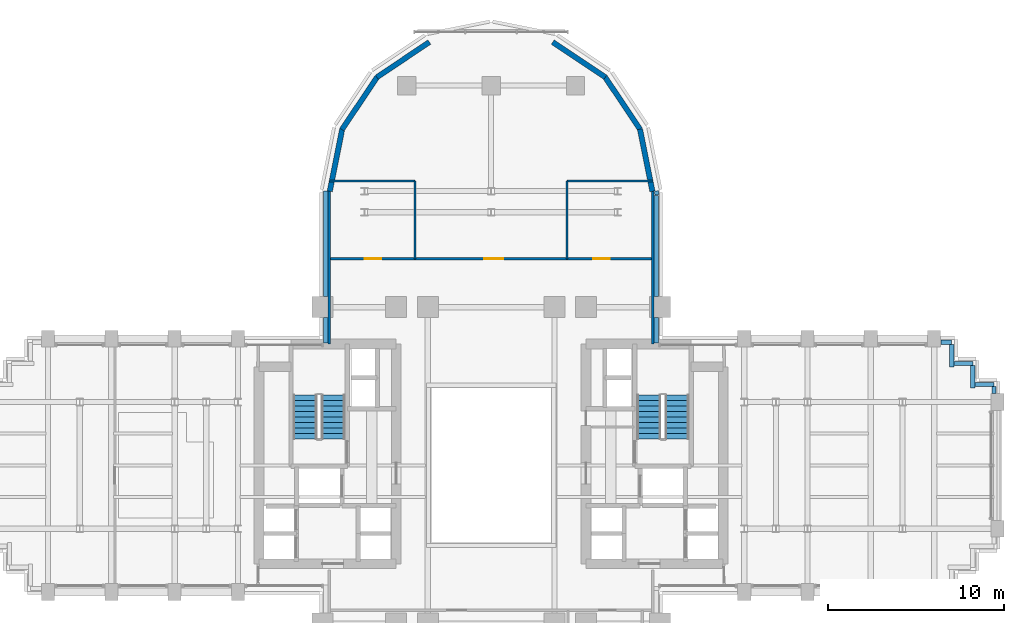
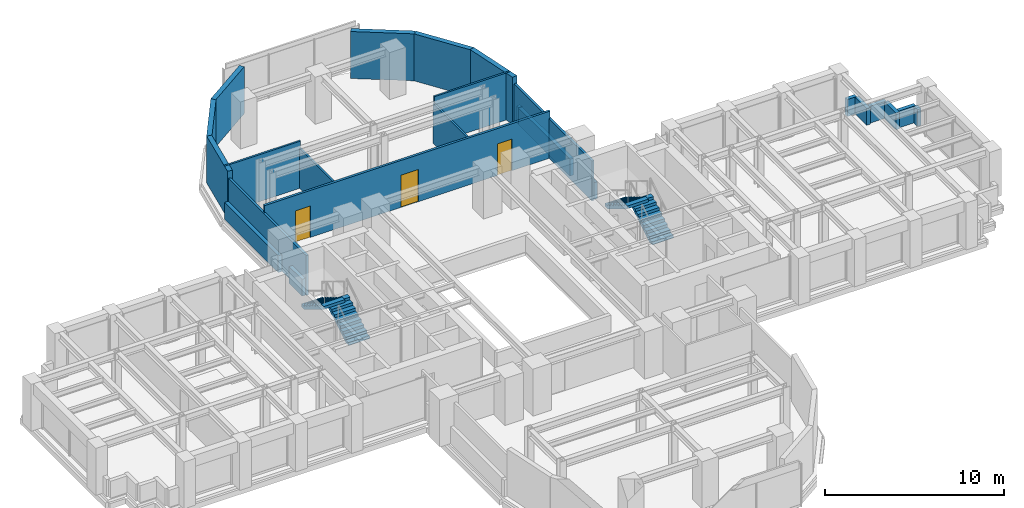
# One storey, part 12 of 16: 24 walls, 4 stair flights, 3 doors, 3 openings, 2 elements without a shape of their own.
"""IFC4 building model written with IfcOpenShell, lengths in metres."""

from ifc_helpers import new_model, si_unit, direction, frame, frame_2d, origin, place, context, subcontext, project, spatial, polyline, rectangle, outline, extrude, source, transform, mapped, material, layer, layer_set, type_object, element, fill, aggregate, save


model = new_model("IFC4")

# Units and contexts
model_context = context("Model", 3, precision=1e-05, world=origin(), true_north=direction((0.0, 1.0)))
body_context = subcontext(model_context, "Body", "Model", "MODEL_VIEW")
ifc_project = project(units=[si_unit("LENGTHUNIT", "METRE"), si_unit("AREAUNIT", "SQUARE_METRE"), si_unit("VOLUMEUNIT", "CUBIC_METRE"), si_unit("PLANEANGLEUNIT", "RADIAN"), si_unit("MASSUNIT", "GRAM", prefix="KILO")], contexts=[model_context])

# Site, building, storey
site_placement = place(None, origin())
site = spatial("IfcSite", under=ifc_project, at=site_placement, CompositionType="ELEMENT")
building_placement = place(site_placement, origin())
building = spatial("IfcBuilding", under=site, at=building_placement, Name="Keilestroom Media Tower", CompositionType="ELEMENT")
storey_placement = place(building_placement, frame((0.0, 0.0, 61.199951171875)))
storey = spatial("IfcBuildingStorey", under=building, at=storey_placement, Name="L15", CompositionType="ELEMENT", Elevation=61.199951171875)

# Walls
ifc_material_1 = material(Name="Precast concrete C40/50", Category="concrete")
ifc_layer_1 = layer(ifc_material_1, 0.300048828125)
ifc_layer_set_1 = layer_set([ifc_layer_1], Name="Precast concrete C40/50")
wall_type_1 = type_object("IfcWallType", Name="Exterior-Masonry-Spandrel-Wall-300", PredefinedType="SOLIDWALL", material=ifc_layer_set_1)
for number, where, z_axis, x_axis, name in (
    (1, (9.1748046875, 15.585205078125, 0.0), (0.0, 0.0, 1.0), (-0.195114232679, 0.980780523974, 0.0), "L15 Lobe Facet Precast Frame Wall 01"),
    (2, (8.48193359375, 19.097412109375, 0.0), (0.0, 0.0, 1.0), (-0.555574187116, 0.831466970246, 0.0), "L15 Lobe Facet Precast Frame Wall 02"),
):
    element("IfcWall", number, at=place(storey_placement, frame(where, z_axis=z_axis, x_axis=x_axis)), inside=storey, type_object=wall_type_1, Name=name, PredefinedType="SOLIDWALL", context=body_context, shape_type="SweptSolid", body=[
        extrude(rectangle(XDim=3.608642578125, YDim=0.300048828125, at=frame_2d((1.80419921875, 0.0))), origin(), (0.0, 0.0, 1.0), 3.199951171875),
    ])
for number, where, z_axis, x_axis, name in (
    (3, (6.497802734375, 22.0771484375, 0.0), (0.0, 0.0, 1.0), (-0.8314749531, 0.555562239868, 0.0), "L15 Lobe Facet Precast Frame Wall 03"),
    (4, (-3.510009765625, 24.073486328125, 0.0), (0.0, 0.0, 1.0), (-0.8314749531, -0.555562239868, 0.0), "L15 Lobe Facet Precast Frame Wall 04"),
):
    element("IfcWall", number, at=place(storey_placement, frame(where, z_axis=z_axis, x_axis=x_axis)), inside=storey, type_object=wall_type_1, Name=name, PredefinedType="SOLIDWALL", context=body_context, shape_type="SweptSolid", body=[
        extrude(rectangle(XDim=3.59326171875, YDim=0.300048828125, at=frame_2d((1.796630859375, 0.0))), origin(), (0.0, 0.0, 1.0), 3.199951171875),
    ])
for number, where, z_axis, x_axis, name in (
    (5, (-6.47705078125, 22.097900390625, 0.0), (0.0, 0.0, 1.0), (-0.555574187116, -0.831466970246, 0.0), "L15 Lobe Facet Precast Frame Wall 05"),
    (6, (-8.470703125, 19.12451171875, 0.0), (0.0, 0.0, 1.0), (-0.195114232679, -0.980780523974, 0.0), "L15 Lobe Facet Precast Frame Wall 06"),
):
    element("IfcWall", number, at=place(storey_placement, frame(where, z_axis=z_axis, x_axis=x_axis)), inside=storey, type_object=wall_type_1, Name=name, PredefinedType="SOLIDWALL", context=body_context, shape_type="SweptSolid", body=[
        extrude(rectangle(XDim=3.608642578125, YDim=0.300048828125, at=frame_2d((1.80419921875, 0.0))), origin(), (0.0, 0.0, 1.0), 3.199951171875),
    ])
ifc_material_2 = material(Name="Gypsum Plasterboard & Steel Stud", Category="steel")
ifc_layer_2 = layer(ifc_material_2, 0.1201171875)
ifc_layer_set_2 = layer_set([ifc_layer_2], Name="Gypsum Plasterboard & Steel Stud")
wall_type_2 = type_object("IfcWallType", Name="Interior-Partition-Wall-120", PredefinedType="PARTITIONING", material=ifc_layer_set_2)
for number, where, z_axis, x_axis, name in (
    (7, (-9.199951171875, 16.169921875, 0.0), (0.0, 0.0, 1.0), (1.0, 0.0, 0.0), "L15 Interior Wall WP-L15-NL-HW"),
    (8, (4.320068359375, 16.169921875, 0.0), (0.0, 0.0, 1.0), (1.0, 0.0, 0.0), "L15 Interior Wall WP-L15-NL-HE"),
):
    element("IfcWall", number, at=place(storey_placement, frame(where, z_axis=z_axis, x_axis=x_axis)), inside=storey, type_object=wall_type_2, Name=name, PredefinedType="PARTITIONING", context=body_context, shape_type="SweptSolid", body=[
        extrude(rectangle(XDim=4.8798828125, YDim=0.1201171875, at=frame_2d((2.43994140625, 0.0))), origin(), (0.0, 0.0, 1.0), 3.199951171875),
    ])
for number, where, z_axis, x_axis, name in (
    (9, (-4.320068359375, 11.75, 0.0), (0.0, 0.0, 1.0), (0.0, 1.0, 0.0), "L15 Interior Wall WP-L15-NL-VW2"),
    (10, (4.320068359375, 11.75, 0.0), (0.0, 0.0, 1.0), (0.0, 1.0, 0.0), "L15 Interior Wall WP-L15-NL-VE2"),
):
    element("IfcWall", number, at=place(storey_placement, frame(where, z_axis=z_axis, x_axis=x_axis)), inside=storey, type_object=wall_type_2, Name=name, PredefinedType="PARTITIONING", context=body_context, shape_type="SweptSolid", body=[
        extrude(rectangle(XDim=4.419921875, YDim=0.1201171875, at=frame_2d((2.2099609375, 0.0))), origin(), (0.0, 0.0, 1.0), 2.7099609375),
    ])

# Wall, openings, doors
ifc_layer_3 = layer(ifc_material_2, 0.14990234375)
ifc_layer_set_3 = layer_set([ifc_layer_3], Name="Gypsum Plasterboard & Steel Stud")
wall_type_3 = type_object("IfcWallType", Name="Interior-Partition-Wall-150", PredefinedType="PARTITIONING", material=ifc_layer_set_3)
wall_1_placement = place(storey_placement, frame((-9.199951171875, 11.75, 0.0), z_axis=(0.0, 0.0, 1.0), x_axis=(1.0, 0.0, 0.0)))
wall_1 = element("IfcWall", 11, at=wall_1_placement, inside=storey, type_object=wall_type_3, Name="L15 Interior Wall WP-L15-NL-BASE", PredefinedType="PARTITIONING", context=body_context, shape_type="SweptSolid", body=[
    extrude(rectangle(XDim=18.39990234375, YDim=0.14990234375, at=frame_2d((9.199951171875, 0.0))), origin(), (0.0, 0.0, 1.0), 3.199951171875),
])
opening_1_placement = place(wall_1_placement, frame((2.0, 0.0, 0.0)))
opening_1 = element("IfcOpeningElement", 12, at=opening_1_placement, cuts=wall_1, Name="Opening DI-03", PredefinedType="OPENING", context=body_context, shape_type="SweptSolid", body=[
    extrude(rectangle(XDim=0.949951171875, YDim=2.14990234375, at=frame_2d((0.47509765625, 1.074951171875))), frame((0.0, 0.0849609375, 0.0), z_axis=(0.0, -1.0, 0.0), x_axis=(1.0, 0.0, 0.0)), (0.0, 0.0, 1.0), 0.169921875),
])
opening_2_placement = place(wall_1_placement, frame((15.0, 0.0, 0.0)))
opening_2 = element("IfcOpeningElement", 13, at=opening_2_placement, cuts=wall_1, Name="Opening DI-03", PredefinedType="OPENING", context=body_context, shape_type="SweptSolid", body=[
    extrude(rectangle(XDim=0.949951171875, YDim=2.14990234375, at=frame_2d((0.47509765625, 1.074951171875))), frame((0.0, 0.0849609375, 0.0), z_axis=(0.0, -1.0, 0.0), x_axis=(1.0, 0.0, 0.0)), (0.0, 0.0, 1.0), 0.169921875),
])
opening_3_placement = place(wall_1_placement, frame((8.800048828125, 0.0, 0.0)))
opening_3 = element("IfcOpeningElement", 14, at=opening_3_placement, cuts=wall_1, Name="Opening DI-04", PredefinedType="OPENING", context=body_context, shape_type="SweptSolid", body=[
    extrude(rectangle(XDim=1.10009765625, YDim=2.199951171875, at=frame_2d((0.550048828125, 1.10009765625))), frame((0.0, 0.0849609375, 0.0), z_axis=(0.0, -1.0, 0.0), x_axis=(1.0, 0.0, 0.0)), (0.0, 0.0, 1.0), 0.169921875),
])
ifc_material_3 = material(Name="Lacquered European Oak Leaf", Category="wood")
door_type_1 = type_object("IfcDoorType", Name="Interior-Room-And-Suite-Door-DI-03", OperationType="NOTDEFINED", PredefinedType="DOOR", material=ifc_material_3)
shared_shape_1 = source(origin(), body_context, "Body", "SweptSolid", [
    extrude(rectangle(XDim=0.949951171875, YDim=2.14990234375, at=frame_2d((0.47509765625, 1.074951171875))), frame((0.0, 0.02490234375, 0.0), z_axis=(0.0, -1.0, 0.0), x_axis=(1.0, 0.0, 0.0)), (0.0, 0.0, 1.0), 0.050048828125),
])
door_1_placement = place(opening_1_placement, origin())
door_1 = element("IfcDoor", 15, at=door_1_placement, inside=storey, type_object=door_type_1, Name="L15 Interior Door DI-L15-DNL-FRW", OperationType="SINGLE_SWING_LEFT", OverallHeight=2.14990234375, OverallWidth=0.949951171875, PredefinedType="DOOR", context=body_context, shape_type="MappedRepresentation", body=[
    mapped(shared_shape_1, transform((0.0, 0.0, 0.0), x_axis=(1.0, 0.0, 0.0), y_axis=(0.0, 1.0, 0.0), z_axis=(0.0, 0.0, 1.0), scale=1.0)),
])
fill(opening_1, door_1)
door_2_placement = place(opening_2_placement, origin())
door_2 = element("IfcDoor", 16, at=door_2_placement, inside=storey, type_object=door_type_1, Name="L15 Interior Door DI-L15-DNL-FRE", OperationType="SINGLE_SWING_RIGHT", OverallHeight=2.14990234375, OverallWidth=0.949951171875, PredefinedType="DOOR", context=body_context, shape_type="MappedRepresentation", body=[
    mapped(shared_shape_1, transform((0.0, 0.0, 0.0), x_axis=(1.0, 0.0, 0.0), y_axis=(0.0, 1.0, 0.0), z_axis=(0.0, 0.0, 1.0), scale=1.0)),
])
fill(opening_2, door_2)
ifc_material_4 = material(Name="Acoustic Glazed Aluminium Leaf", Category="aluminium")
door_type_2 = type_object("IfcDoorType", Name="Interior-Room-And-Suite-Door-DI-04", OperationType="NOTDEFINED", PredefinedType="DOOR", material=ifc_material_4)
shared_shape_2 = source(origin(), body_context, "Body", "SweptSolid", [
    extrude(rectangle(XDim=1.10009765625, YDim=2.199951171875, at=frame_2d((0.550048828125, 1.10009765625))), frame((0.0, 0.02490234375, 0.0), z_axis=(0.0, -1.0, 0.0), x_axis=(1.0, 0.0, 0.0)), (0.0, 0.0, 1.0), 0.050048828125),
])
door_3_placement = place(opening_3_placement, origin())
door_3 = element("IfcDoor", 17, at=door_3_placement, inside=storey, type_object=door_type_2, Name="L15 Interior Door DI-L15-DNL-REAR", OperationType="SINGLE_SWING_LEFT", OverallHeight=2.199951171875, OverallWidth=1.10009765625, PredefinedType="DOOR", context=body_context, shape_type="MappedRepresentation", body=[
    mapped(shared_shape_2, transform((0.0, 0.0, 0.0), x_axis=(1.0, 0.0, 0.0), y_axis=(0.0, 1.0, 0.0), z_axis=(0.0, 0.0, 1.0), scale=1.0)),
])
fill(opening_3, door_3)

# Walls
for number, where, z_axis, x_axis, name in (
    (18, (-9.199951171875, 6.89990234375, 0.0), (0.0, 0.0, 1.0), (0.0, 1.0, 0.0), "L15 Interior Wall WP-L15-NL-CHKW"),
    (19, (9.199951171875, 6.89990234375, 0.0), (0.0, 0.0, 1.0), (0.0, 1.0, 0.0), "L15 Interior Wall WP-L15-NL-CHKE"),
):
    element("IfcWall", number, at=place(storey_placement, frame(where, z_axis=z_axis, x_axis=x_axis)), inside=storey, type_object=wall_type_3, Name=name, PredefinedType="PARTITIONING", context=body_context, shape_type="SweptSolid", body=[
        extrude(rectangle(XDim=8.780029296875, YDim=0.14990234375, at=frame_2d((4.39013671875, 0.0))), origin(), (0.0, 0.0, 1.0), 2.7099609375),
    ])
ifc_layer_4 = layer(ifc_material_1, 0.239990234375)
ifc_layer_set_4 = layer_set([ifc_layer_4], Name="Precast concrete C40/50")
wall_type_4 = type_object("IfcWallType", Name="Roof-And-Terrace-Parapet-Wall-240", PredefinedType="PARAPET", material=ifc_layer_set_4)
wall_2_placement = place(storey_placement, frame((-9.39990234375, 6.952880859375, 0.0), z_axis=(0.0, 0.0, 1.0), x_axis=(0.0, 1.0, 0.0)))
element("IfcWall", 20, at=wall_2_placement, inside=storey, type_object=wall_type_4, Name="L15 Perimeter Edge Parapet Wall 24", PredefinedType="PARAPET", context=body_context, shape_type="SweptSolid", body=[
    extrude(rectangle(XDim=1.444091796875, YDim=0.239990234375, at=frame_2d((0.72216796875, 0.0))), origin(), (0.0, 0.0, 1.0), 1.150146484375),
])
wall_3_placement = place(storey_placement, frame((-9.39990234375, 9.60302734375, 0.0), z_axis=(0.0, 0.0, 1.0), x_axis=(0.0, 1.0, 0.0)))
element("IfcWall", 21, at=wall_3_placement, inside=storey, type_object=wall_type_4, Name="L15 Perimeter Edge Parapet Wall 25", PredefinedType="PARAPET", context=body_context, shape_type="SweptSolid", body=[
    extrude(rectangle(XDim=5.999755859375, YDim=0.239990234375, at=frame_2d((3.0, 0.0))), origin(), (0.0, 0.0, 1.0), 1.150146484375),
])
wall_4_placement = place(storey_placement, frame((9.395263671875, 15.604248046875, 0.0), z_axis=(0.0, 0.0, 1.0), x_axis=(0.194652052864, -0.980872355771, 0.0)))
element("IfcWall", 22, at=wall_4_placement, inside=storey, type_object=wall_type_4, Name="L15 Perimeter Edge Parapet Wall 26", PredefinedType="PARAPET", context=body_context, shape_type="SweptSolid", body=[
    extrude(rectangle(XDim=0.224609375, YDim=0.239990234375, at=frame_2d((0.1123046875, 0.0))), origin(), (0.0, 0.0, 1.0), 1.150146484375),
])
wall_5_placement = place(storey_placement, frame((9.39990234375, 15.357666015625, 0.0), z_axis=(0.0, 0.0, 1.0), x_axis=(0.0, -1.0, 0.0)))
element("IfcWall", 23, at=wall_5_placement, inside=storey, type_object=wall_type_4, Name="L15 Perimeter Edge Parapet Wall 27", PredefinedType="PARAPET", context=body_context, shape_type="SweptSolid", body=[
    extrude(rectangle(XDim=5.754638671875, YDim=0.239990234375, at=frame_2d((2.87744140625, 0.0))), origin(), (0.0, 0.0, 1.0), 1.150146484375),
])
wall_6_placement = place(storey_placement, frame((9.39990234375, 8.39697265625, 0.0), z_axis=(0.0, 0.0, 1.0), x_axis=(0.0, -1.0, 0.0)))
element("IfcWall", 24, at=wall_6_placement, inside=storey, type_object=wall_type_4, Name="L15 Perimeter Edge Parapet Wall 28", PredefinedType="PARAPET", context=body_context, shape_type="SweptSolid", body=[
    extrude(rectangle(XDim=1.444091796875, YDim=0.239990234375, at=frame_2d((0.72216796875, 0.0))), origin(), (0.0, 0.0, 1.0), 1.150146484375),
])
wall_7_placement = place(storey_placement, frame((25.577880859375, 7.0, 0.0), z_axis=(0.0, 0.0, 1.0), x_axis=(1.0, 0.0, 0.0)))
element("IfcWall", 25, at=wall_7_placement, inside=storey, type_object=wall_type_4, Name="L15 Perimeter Edge Parapet Wall 29", PredefinedType="PARAPET", context=body_context, shape_type="SweptSolid", body=[
    extrude(rectangle(XDim=0.6220703125, YDim=0.239990234375, at=frame_2d((0.31103515625, 0.0))), origin(), (0.0, 0.0, 1.0), 1.150146484375),
])
wall_8_placement = place(storey_placement, frame((26.199951171875, 6.876953125, 0.0), z_axis=(0.0, 0.0, 1.0), x_axis=(0.0, -1.0, 0.0)))
element("IfcWall", 26, at=wall_8_placement, inside=storey, type_object=wall_type_4, Name="L15 Perimeter Edge Parapet Wall 30", PredefinedType="PARAPET", context=body_context, shape_type="SweptSolid", body=[
    extrude(rectangle(XDim=1.27685546875, YDim=0.239990234375, at=frame_2d((0.638427734375, 0.0))), origin(), (0.0, 0.0, 1.0), 1.150146484375),
])
wall_9_placement = place(storey_placement, frame((26.322998046875, 5.800048828125, 0.0), z_axis=(0.0, 0.0, 1.0), x_axis=(1.0, 0.0, 0.0)))
element("IfcWall", 27, at=wall_9_placement, inside=storey, type_object=wall_type_4, Name="L15 Perimeter Edge Parapet Wall 31", PredefinedType="PARAPET", context=body_context, shape_type="SweptSolid", body=[
    extrude(rectangle(XDim=1.076904296875, YDim=0.239990234375, at=frame_2d((0.53857421875, 0.0))), origin(), (0.0, 0.0, 1.0), 1.150146484375),
])
wall_10_placement = place(storey_placement, frame((27.39990234375, 5.677001953125, 0.0), z_axis=(0.0, 0.0, 1.0), x_axis=(0.0, -1.0, 0.0)))
element("IfcWall", 28, at=wall_10_placement, inside=storey, type_object=wall_type_4, Name="L15 Perimeter Edge Parapet Wall 32", PredefinedType="PARAPET", context=body_context, shape_type="SweptSolid", body=[
    extrude(rectangle(XDim=1.277099609375, YDim=0.239990234375, at=frame_2d((0.638671875, 0.0))), origin(), (0.0, 0.0, 1.0), 1.150146484375),
])
wall_11_placement = place(storey_placement, frame((27.52294921875, 4.60009765625, 0.0), z_axis=(0.0, 0.0, 1.0), x_axis=(1.0, 0.0, 0.0)))
element("IfcWall", 29, at=wall_11_placement, inside=storey, type_object=wall_type_4, Name="L15 Perimeter Edge Parapet Wall 33", PredefinedType="PARAPET", context=body_context, shape_type="SweptSolid", body=[
    extrude(rectangle(XDim=1.0771484375, YDim=0.239990234375, at=frame_2d((0.53857421875, 0.0))), origin(), (0.0, 0.0, 1.0), 1.150146484375),
])
wall_12_placement = place(storey_placement, frame((28.60009765625, 4.47705078125, 0.0), z_axis=(0.0, 0.0, 1.0), x_axis=(0.0, -1.0, 0.0)))
element("IfcWall", 30, at=wall_12_placement, inside=storey, type_object=wall_type_4, Name="L15 Perimeter Edge Parapet Wall 34", PredefinedType="PARAPET", context=body_context, shape_type="SweptSolid", body=[
    extrude(rectangle(XDim=0.399169921875, YDim=0.239990234375, at=frame_2d((0.19970703125, 0.0))), origin(), (0.0, 0.0, 1.0), 1.150146484375),
])

# Stair, stair flights
ifc_material_5 = material(Name="Concrete C45/55", Category="concrete")
stair_type = type_object("IfcStairType", Name="Enclosed-Dog-Leg-Stair-ST-CORE", PredefinedType="HALF_TURN_STAIR", material=ifc_material_5)
stair_1_placement = place(storey_placement, origin())
stair_1 = element("IfcStair", 31, at=stair_1_placement, inside=storey, type_object=stair_type, Name="L15 West Core Escape Stair ST-1", PredefinedType="HALF_TURN_STAIR")
stair_flight_type = type_object("IfcStairFlightType", Name="Precast-Concrete-Stair-Flight-Core-160", PredefinedType="STRAIGHT", material=ifc_material_1)
stair_flight_1_placement = place(storey_placement, frame((-8.97998046875, 1.5, 0.0), z_axis=(0.0, 0.0, 1.0), x_axis=(0.0, 1.0, 0.0)))
stair_flight_1 = element("IfcStairFlight", 32, at=stair_flight_1_placement, type_object=stair_flight_type, Name="ST-1 flight 1", NumberOfRisers=9, NumberOfTreads=8, PredefinedType="STRAIGHT", RiserHeight=0.188888889, TreadLength=0.312, context=body_context, shape_type="SweptSolid", body=[
    extrude(outline(polyline([(0.0, 0.0), (0.0, 0.18896484375), (0.31201171875, 0.18896484375), (0.31201171875, 0.377685546875), (0.6240234375, 0.377685546875), (0.6240234375, 0.566650390625), (0.93603515625, 0.566650390625), (0.93603515625, 0.755615234375), (1.248046875, 0.755615234375), (1.248046875, 0.9443359375), (1.56005859375, 0.9443359375), (1.56005859375, 1.13330078125), (1.8720703125, 1.13330078125), (1.8720703125, 1.322265625), (2.18408203125, 1.322265625), (2.18408203125, 1.51123046875), (2.49609375, 1.51123046875), (2.49609375, 1.699951171875), (2.49609375, 1.32421875), (0.308837890625, 0.0), (0.0, 0.0)])), frame((0.0, 0.68017578125, 0.0), z_axis=(0.0, -1.0, 0.0), x_axis=(1.0, 0.0, 0.0)), (0.0, 0.0, 1.0), 1.360107421875),
])
stair_flight_2_placement = place(storey_placement, frame((-10.580078125, 3.99609375, 1.699951171875), z_axis=(0.0, 0.0, 1.0), x_axis=(0.0, -1.0, 0.0)))
stair_flight_2 = element("IfcStairFlight", 33, at=stair_flight_2_placement, type_object=stair_flight_type, Name="ST-1 flight 2", NumberOfRisers=9, NumberOfTreads=8, PredefinedType="STRAIGHT", RiserHeight=0.188888889, TreadLength=0.312, context=body_context, shape_type="SweptSolid", body=[
    extrude(outline(polyline([(0.0, 0.0), (0.0, 0.18896484375), (0.31201171875, 0.18896484375), (0.31201171875, 0.377685546875), (0.6240234375, 0.377685546875), (0.6240234375, 0.566650390625), (0.93603515625, 0.566650390625), (0.93603515625, 0.755615234375), (1.248046875, 0.755615234375), (1.248046875, 0.9443359375), (1.56005859375, 0.9443359375), (1.56005859375, 1.13330078125), (1.8720703125, 1.13330078125), (1.8720703125, 1.322265625), (2.18408203125, 1.322265625), (2.18408203125, 1.51123046875), (2.49609375, 1.51123046875), (2.49609375, 1.699951171875), (2.49609375, 1.32421875), (0.308837890625, 0.0), (0.0, 0.0)])), frame((0.0, 0.68017578125, 0.0), z_axis=(0.0, -1.0, 0.0), x_axis=(1.0, 0.0, 0.0)), (0.0, 0.0, 1.0), 1.360107421875),
])
aggregate(stair_1, [stair_flight_1, stair_flight_2])

stair_2_placement = place(storey_placement, origin())
stair_2 = element("IfcStair", 34, at=stair_2_placement, inside=storey, type_object=stair_type, Name="L15 East Core Escape Stair ST-2", PredefinedType="HALF_TURN_STAIR")
stair_flight_3_placement = place(storey_placement, frame((10.580078125, 1.5, 0.0), z_axis=(0.0, 0.0, 1.0), x_axis=(0.0, 1.0, 0.0)))
stair_flight_3 = element("IfcStairFlight", 35, at=stair_flight_3_placement, type_object=stair_flight_type, Name="ST-2 flight 1", NumberOfRisers=9, NumberOfTreads=8, PredefinedType="STRAIGHT", RiserHeight=0.188888889, TreadLength=0.312, context=body_context, shape_type="SweptSolid", body=[
    extrude(outline(polyline([(0.0, 0.0), (0.0, 0.18896484375), (0.31201171875, 0.18896484375), (0.31201171875, 0.377685546875), (0.6240234375, 0.377685546875), (0.6240234375, 0.566650390625), (0.93603515625, 0.566650390625), (0.93603515625, 0.755615234375), (1.248046875, 0.755615234375), (1.248046875, 0.9443359375), (1.56005859375, 0.9443359375), (1.56005859375, 1.13330078125), (1.8720703125, 1.13330078125), (1.8720703125, 1.322265625), (2.18408203125, 1.322265625), (2.18408203125, 1.51123046875), (2.49609375, 1.51123046875), (2.49609375, 1.699951171875), (2.49609375, 1.32421875), (0.308837890625, 0.0), (0.0, 0.0)])), frame((0.0, 0.68017578125, 0.0), z_axis=(0.0, -1.0, 0.0), x_axis=(1.0, 0.0, 0.0)), (0.0, 0.0, 1.0), 1.360107421875),
])
stair_flight_4_placement = place(storey_placement, frame((8.97998046875, 3.99609375, 1.699951171875), z_axis=(0.0, 0.0, 1.0), x_axis=(0.0, -1.0, 0.0)))
stair_flight_4 = element("IfcStairFlight", 36, at=stair_flight_4_placement, type_object=stair_flight_type, Name="ST-2 flight 2", NumberOfRisers=9, NumberOfTreads=8, PredefinedType="STRAIGHT", RiserHeight=0.188888889, TreadLength=0.312, context=body_context, shape_type="SweptSolid", body=[
    extrude(outline(polyline([(0.0, 0.0), (0.0, 0.18896484375), (0.31201171875, 0.18896484375), (0.31201171875, 0.377685546875), (0.6240234375, 0.377685546875), (0.6240234375, 0.566650390625), (0.93603515625, 0.566650390625), (0.93603515625, 0.755615234375), (1.248046875, 0.755615234375), (1.248046875, 0.9443359375), (1.56005859375, 0.9443359375), (1.56005859375, 1.13330078125), (1.8720703125, 1.13330078125), (1.8720703125, 1.322265625), (2.18408203125, 1.322265625), (2.18408203125, 1.51123046875), (2.49609375, 1.51123046875), (2.49609375, 1.699951171875), (2.49609375, 1.32421875), (0.308837890625, 0.0), (0.0, 0.0)])), frame((0.0, 0.68017578125, 0.0), z_axis=(0.0, -1.0, 0.0), x_axis=(1.0, 0.0, 0.0)), (0.0, 0.0, 1.0), 1.360107421875),
])
aggregate(stair_2, [stair_flight_3, stair_flight_4])

save(model, "model.ifc")
